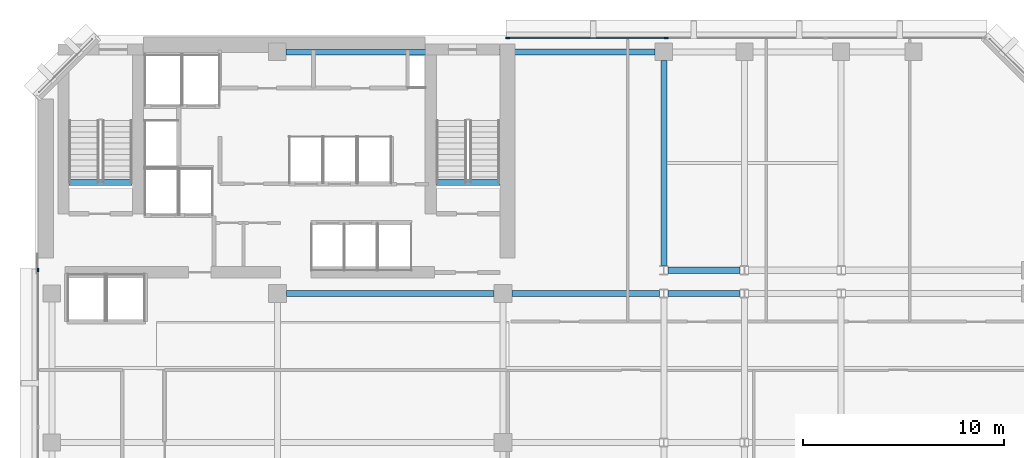
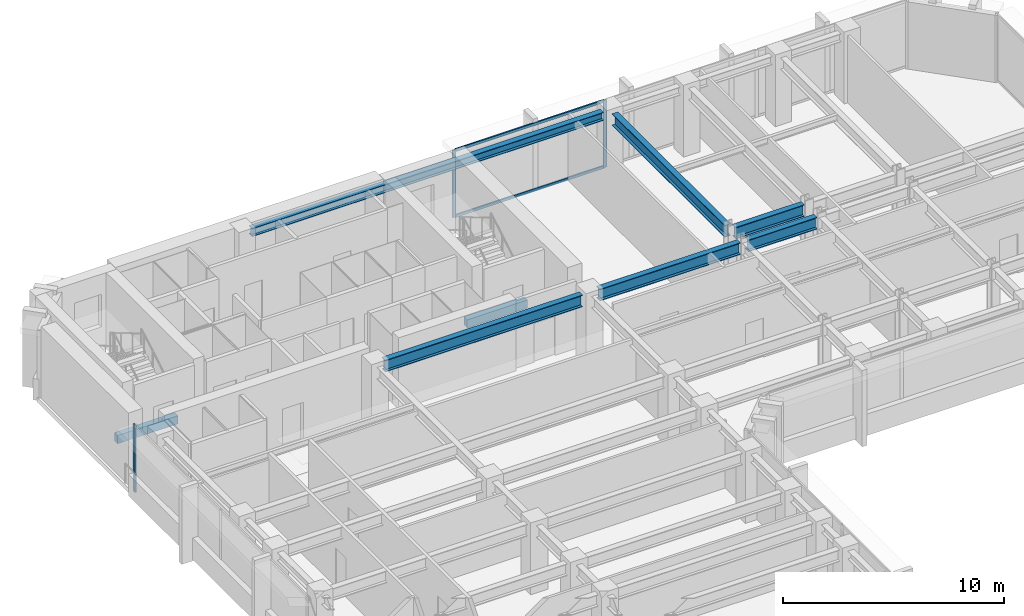
# One storey, part 4 of 11: 8 beams, 5 members, 2 elements without a shape of their own.
"""IFC4 building model written with IfcOpenShell, lengths in metres."""

from ifc_helpers import new_model, si_unit, direction, frame, origin, origin_2d, place, context, subcontext, project, spatial, rectangle, i_section, extrude, material, layer, layer_set, material_profile, profile_set, type_object, element, aggregate, save


model = new_model("IFC4")

# Units and contexts
model_context = context("Model", 3, precision=1e-05, world=origin(), true_north=direction((0.0, 1.0)))
body_context = subcontext(model_context, "Body", "Model", "MODEL_VIEW")
ifc_project = project(units=[si_unit("LENGTHUNIT", "METRE"), si_unit("AREAUNIT", "SQUARE_METRE"), si_unit("VOLUMEUNIT", "CUBIC_METRE"), si_unit("PLANEANGLEUNIT", "RADIAN"), si_unit("MASSUNIT", "GRAM", prefix="KILO")], contexts=[model_context])

# Site, building, storey
site_placement = place(None, origin())
site = spatial("IfcSite", under=ifc_project, at=site_placement, CompositionType="ELEMENT")
building_placement = place(site_placement, origin())
building = spatial("IfcBuilding", under=site, at=building_placement, Name="Kefirva Bronze Tower", CompositionType="ELEMENT")
storey_placement = place(building_placement, frame((0.0, 0.0, 138.929931640625)))
storey = spatial("IfcBuildingStorey", under=building, at=storey_placement, Name="L33", CompositionType="ELEMENT", Elevation=138.929931640625)

# Curtain wall, members
ifc_material_1 = material(Name="Bronze anodised aluminium", Category="aluminium")
ifc_layer = layer(ifc_material_1, 0.199951171875, Name="Bronze anodised aluminium")
ifc_layer_set = layer_set([ifc_layer], Name="Bronze anodised aluminium")
curtain_wall_type = type_object("IfcCurtainWallType", Name="Unitised Bronze Ribbon Curtain Wall Zone 2", PredefinedType="USERDEFINED", material=ifc_layer_set)
curtain_wall_1_placement = place(storey_placement, origin())
curtain_wall_1 = element("IfcCurtainWall", 1, at=curtain_wall_1_placement, inside=storey, type_object=curtain_wall_type, Name="L33 Curtain Wall 5", ObjectType="UNITISED CURTAIN WALL", PredefinedType="USERDEFINED")
ifc_material_profile_1 = material_profile(ifc_material_1, rectangle(XDim=0.074951171875, YDim=0.179931640625, at=origin_2d()), Name="ALU 75x180")
ifc_profile_set_1 = profile_set([ifc_material_profile_1], Name="Bronze anodised aluminium")
member_type_1 = type_object("IfcMemberType", Name="Bronze Mullion 75x180", PredefinedType="MULLION", material=ifc_profile_set_1)
member_1_placement = place(storey_placement, frame((31.318359375, 45.8798828125, 0.0), z_axis=(0.0, 0.0, 1.0), x_axis=(0.0, -1.0, 0.0)))
member_1 = element("IfcMember", 2, at=member_1_placement, type_object=member_type_1, Name="CW-02 mullion 3", PredefinedType="MULLION", context=body_context, shape_type="SweptSolid", body=[
    extrude(rectangle(XDim=0.074951171875, YDim=0.179931640625, at=origin_2d()), origin(), (0.0, 0.0, 1.0), 3.7099609375),
])
member_2_placement = place(storey_placement, frame((23.4423828125, 45.8798828125, 0.0), z_axis=(0.0, 0.0, 1.0), x_axis=(0.0, -1.0, 0.0)))
member_2 = element("IfcMember", 3, at=member_2_placement, type_object=member_type_1, Name="CW-02 mullion 4", PredefinedType="MULLION", context=body_context, shape_type="SweptSolid", body=[
    extrude(rectangle(XDim=0.074951171875, YDim=0.179931640625, at=origin_2d()), origin(), (0.0, 0.0, 1.0), 3.7099609375),
])

# Curtain wall, member
curtain_wall_2_placement = place(storey_placement, origin())
curtain_wall_2 = element("IfcCurtainWall", 4, at=curtain_wall_2_placement, inside=storey, type_object=curtain_wall_type, Name="L33 Curtain Wall 6", ObjectType="UNITISED CURTAIN WALL", PredefinedType="USERDEFINED")
member_3_placement = place(storey_placement, frame((0.1201171875, 34.357421875, 0.0), z_axis=(0.0, 0.0, 1.0), x_axis=(1.0, 0.0, 0.0)))
member_3 = element("IfcMember", 5, at=member_3_placement, type_object=member_type_1, Name="CW-02 mullion 1", PredefinedType="MULLION", context=body_context, shape_type="SweptSolid", body=[
    extrude(rectangle(XDim=0.074951171875, YDim=0.179931640625, at=origin_2d()), origin(), (0.0, 0.0, 1.0), 3.7099609375),
])
aggregate(curtain_wall_2, [member_3])

# Member
ifc_material_profile_2 = material_profile(ifc_material_1, rectangle(XDim=0.074951171875, YDim=0.14990234375, at=origin_2d()), Name="ALU 75x150")
ifc_profile_set_2 = profile_set([ifc_material_profile_2], Name="Bronze anodised aluminium")
member_type_2 = type_object("IfcMemberType", Name="Bronze Transom 75x150", PredefinedType="USERDEFINED", material=ifc_profile_set_2)
member_4_placement = place(storey_placement, frame((31.28076171875, 45.8798828125, 0.03759765625), z_axis=(-1.0, 0.0, 0.0), x_axis=(0.0, -1.0, 0.0)))
member_4 = element("IfcMember", 6, at=member_4_placement, type_object=member_type_2, Name="CW-02 transom 3.1", ObjectType="TRANSOM", PredefinedType="USERDEFINED", context=body_context, shape_type="SweptSolid", body=[
    extrude(rectangle(XDim=0.074951171875, YDim=0.14990234375, at=origin_2d()), origin(), (0.0, 0.0, 1.0), 7.80078125),
])

member_5_placement = place(storey_placement, frame((31.28076171875, 45.8798828125, 3.672607421875), z_axis=(-1.0, 0.0, 0.0), x_axis=(0.0, -1.0, 0.0)))
member_5 = element("IfcMember", 7, at=member_5_placement, type_object=member_type_2, Name="CW-02 transom 3.2", ObjectType="TRANSOM", PredefinedType="USERDEFINED", context=body_context, shape_type="SweptSolid", body=[
    extrude(rectangle(XDim=0.074951171875, YDim=0.14990234375, at=origin_2d()), origin(), (0.0, 0.0, 1.0), 7.80078125),
])

aggregate(curtain_wall_1, [member_1, member_2, member_4, member_5])

# Beams
ifc_material_2 = material(Name="Concrete C50/60", Category="concrete")
ifc_material_profile_3 = material_profile(ifc_material_2, rectangle(XDim=0.300048828125, YDim=0.449951171875, at=origin_2d()), Name="RC 300x450")
ifc_profile_set_3 = profile_set([ifc_material_profile_3], Name="Concrete C50/60")
beam_type_1 = type_object("IfcBeamType", Name="RC Stair Trimmer Beam 300x450", PredefinedType="BEAM", material=ifc_profile_set_3)
beam_1_placement = place(storey_placement, frame((1.64501953125, 38.699951171875, -0.224853515625), z_axis=(1.0, 0.0, 0.0), x_axis=(0.0, 1.0, 0.0)))
element("IfcBeam", 8, at=beam_1_placement, inside=storey, type_object=beam_type_1, Name="L33 Stair 1 Landing Trimmer Beam", PredefinedType="BEAM", context=body_context, shape_type="SweptSolid", body=[
    extrude(rectangle(XDim=0.300048828125, YDim=0.449951171875, at=origin_2d()), origin(), (0.0, 0.0, 1.0), 3.14990234375),
])
beam_2_placement = place(storey_placement, frame((19.89501953125, 38.699951171875, -0.224853515625), z_axis=(1.0, 0.0, 0.0), x_axis=(0.0, 1.0, 0.0)))
element("IfcBeam", 9, at=beam_2_placement, inside=storey, type_object=beam_type_1, Name="L33 Stair 2 Landing Trimmer Beam", PredefinedType="BEAM", context=body_context, shape_type="SweptSolid", body=[
    extrude(rectangle(XDim=0.300048828125, YDim=0.449951171875, at=origin_2d()), origin(), (0.0, 0.0, 1.0), 3.159912109375),
])
ifc_material_3 = material(Name="Steel S355", Category="steel")
ifc_material_profile_4 = material_profile(ifc_material_3, i_section(OverallWidth=0.300048828125, OverallDepth=0.64990234375, WebThickness=0.01611328125, FlangeThickness=0.031005859375, at=origin_2d()), Name="HEB 650")
ifc_profile_set_4 = profile_set([ifc_material_profile_4], Name="Steel S355")
beam_type_2 = type_object("IfcBeamType", Name="Steel Girder HEB 650", PredefinedType="USERDEFINED", material=ifc_profile_set_4)
beam_3_placement = place(storey_placement, frame((12.449951171875, 33.199951171875, 3.385009765625), z_axis=(1.0, 0.0, 0.0), x_axis=(0.0, 1.0, 0.0)))
element("IfcBeam", 10, at=beam_3_placement, inside=storey, type_object=beam_type_2, Name="L33 BM-L33-EW-12-332", ObjectType="GIRDER", PredefinedType="USERDEFINED", context=body_context, shape_type="SweptSolid", body=[
    extrude(i_section(OverallWidth=0.300048828125, OverallDepth=0.64990234375, WebThickness=0.01611328125, FlangeThickness=0.031005859375, at=origin_2d()), origin(), (0.0, 0.0, 1.0), 10.300048828125),
])
beam_4_placement = place(storey_placement, frame((23.64990234375, 33.199951171875, 3.385009765625), z_axis=(1.0, 0.0, 0.0), x_axis=(0.0, 1.0, 0.0)))
element("IfcBeam", 11, at=beam_4_placement, inside=storey, type_object=beam_type_2, Name="L33 BM-L33-EW-23-332", ObjectType="GIRDER", PredefinedType="USERDEFINED", context=body_context, shape_type="SweptSolid", body=[
    extrude(i_section(OverallWidth=0.300048828125, OverallDepth=0.64990234375, WebThickness=0.01611328125, FlangeThickness=0.031005859375, at=origin_2d()), origin(), (0.0, 0.0, 1.0), 7.341064453125),
])
for number, where, z_axis, x_axis, name in (
    (12, (31.408935546875, 33.199951171875, 3.385009765625), (1.0, 0.0, 0.0), (0.0, 1.0, 0.0), "L33 BM-L33-EW-31-332"),
    (13, (31.408935546875, 34.35009765625, 3.385009765625), (1.0, 0.0, 0.0), (0.0, 1.0, 0.0), "L33 BM-L33-EW-31-344"),
):
    element("IfcBeam", number, at=place(storey_placement, frame(where, z_axis=z_axis, x_axis=x_axis)), inside=storey, type_object=beam_type_2, Name=name, ObjectType="GIRDER", PredefinedType="USERDEFINED", context=body_context, shape_type="SweptSolid", body=[
        extrude(i_section(OverallWidth=0.300048828125, OverallDepth=0.64990234375, WebThickness=0.01611328125, FlangeThickness=0.031005859375, at=origin_2d()), origin(), (0.0, 0.0, 1.0), 3.58203125),
    ])
beam_5_placement = place(storey_placement, frame((31.199951171875, 34.577392578125, 3.385009765625), z_axis=(0.0, 1.0, 0.0), x_axis=(-1.0, 0.0, 0.0)))
element("IfcBeam", 14, at=beam_5_placement, inside=storey, type_object=beam_type_2, Name="L33 BM-L33-NS-312-34", ObjectType="GIRDER", PredefinedType="USERDEFINED", context=body_context, shape_type="SweptSolid", body=[
    extrude(i_section(OverallWidth=0.300048828125, OverallDepth=0.64990234375, WebThickness=0.01611328125, FlangeThickness=0.031005859375, at=origin_2d()), origin(), (0.0, 0.0, 1.0), 10.192626953125),
])
ifc_material_profile_5 = material_profile(ifc_material_3, i_section(OverallWidth=0.300048828125, OverallDepth=0.449951171875, WebThickness=0.013916015625, FlangeThickness=0.02587890625, at=origin_2d()), Name="HEB 450")
ifc_profile_set_5 = profile_set([ifc_material_profile_5], Name="Steel S355")
beam_type_3 = type_object("IfcBeamType", Name="Steel Spandrel HEB 450 Ext", PredefinedType="SPANDREL", material=ifc_profile_set_5)
beam_6_placement = place(storey_placement, frame((12.429931640625, 45.199951171875, 3.485107421875), z_axis=(1.0, 0.0, 0.0), x_axis=(0.0, 1.0, 0.0)))
element("IfcBeam", 15, at=beam_6_placement, inside=storey, type_object=beam_type_3, Name="L33 BM-L33-EW-12-452", PredefinedType="SPANDREL", context=body_context, shape_type="SweptSolid", body=[
    extrude(i_section(OverallWidth=0.300048828125, OverallDepth=0.449951171875, WebThickness=0.013916015625, FlangeThickness=0.02587890625, at=origin_2d()), origin(), (0.0, 0.0, 1.0), 18.340087890625),
])

save(model, "model.ifc")
